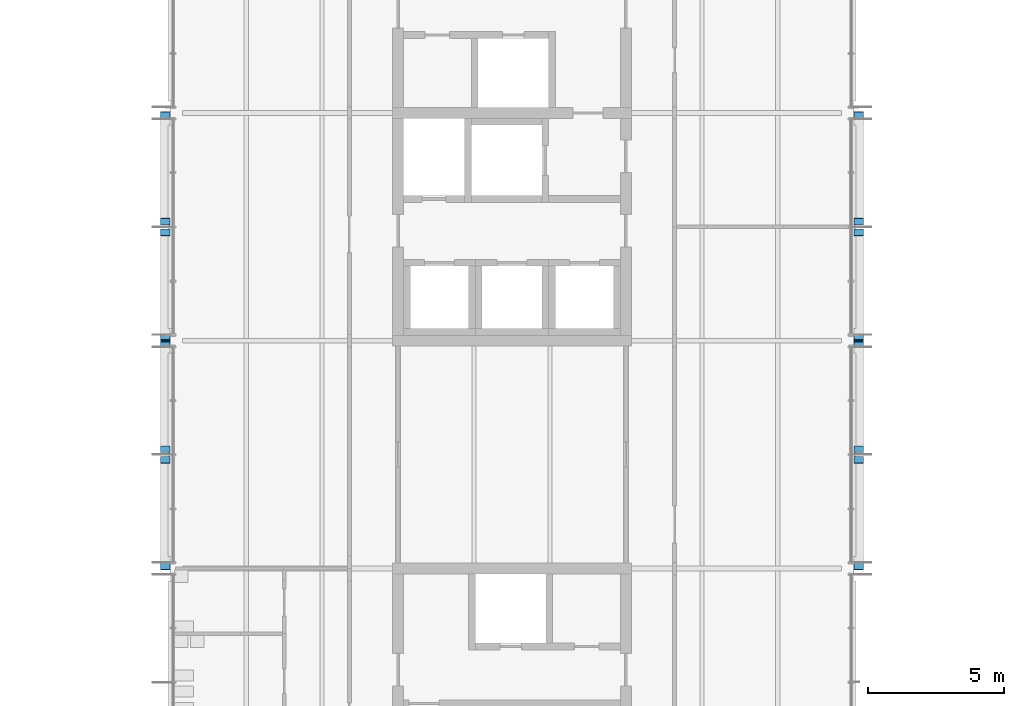
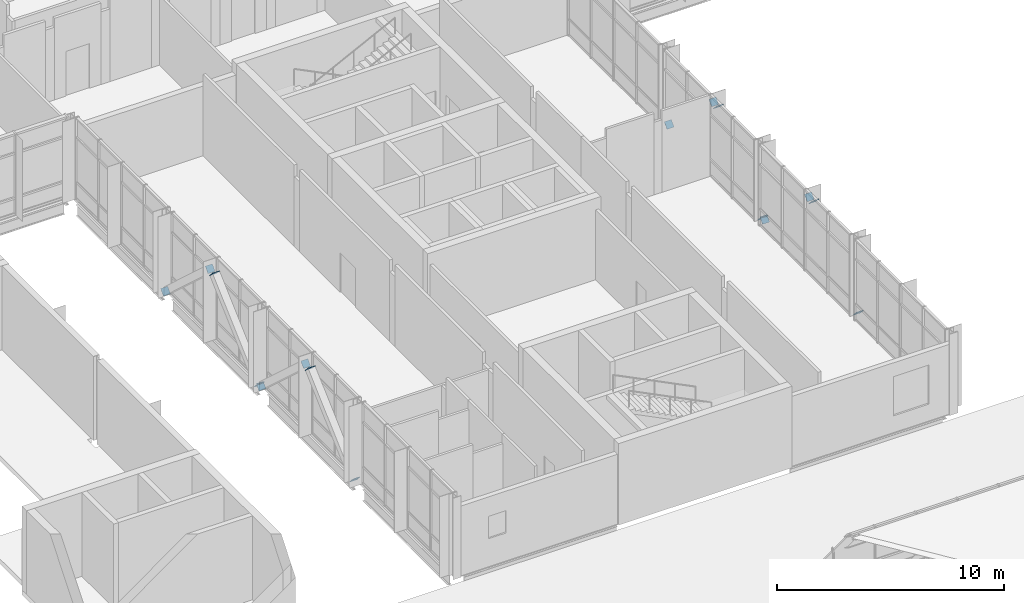
# One storey, part 72 of 89: 16 discrete accessories.
"""IFC4 building model written with IfcOpenShell, lengths in metres."""

from ifc_helpers import new_model, si_unit, direction, frame, origin, origin_2d, place, context, subcontext, project, spatial, rectangle, extrude, material, element, save


model = new_model("IFC4")

# Units and contexts
model_context = context("Model", 3, precision=1e-05, world=origin(), true_north=direction((0.0, 1.0)))
body_context = subcontext(model_context, "Body", "Model", "MODEL_VIEW")
ifc_project = project(units=[si_unit("LENGTHUNIT", "METRE"), si_unit("AREAUNIT", "SQUARE_METRE"), si_unit("VOLUMEUNIT", "CUBIC_METRE"), si_unit("PLANEANGLEUNIT", "RADIAN"), si_unit("MASSUNIT", "GRAM", prefix="KILO")], contexts=[model_context])

# Site, building, storey
site_placement = place(None, origin())
site = spatial("IfcSite", under=ifc_project, at=site_placement, CompositionType="ELEMENT")
building_placement = place(site_placement, origin())
building = spatial("IfcBuilding", under=site, at=building_placement, Name="Hlaing Beacon Police Headquarters", CompositionType="ELEMENT")
storey_placement = place(building_placement, frame((0.0, 0.0, 9.89990234375)))
storey = spatial("IfcBuildingStorey", under=building, at=storey_placement, Name="L02", CompositionType="ELEMENT", Elevation=9.89990234375)

# Discrete accessories
ifc_material = material(Name="Steel ASTM A572 Grade 50", Category="steel")
for number, where, z_axis, x_axis, name in (
    (1, (100.6181640625, 42.085205078125, 0.137939453125), (0.0, -0.738028812002, -0.674769199545), (1.0, 0.0, 0.0), "Gusset plate GP-033"),
    (2, (100.6181640625, 45.992431640625, 3.710205078125), (0.0, 0.738028812002, 0.674769199545), (-1.0, 0.0, 0.0), "Gusset plate GP-034"),
    (3, (100.6181640625, 50.314697265625, 0.137939453125), (0.0, 0.738028812002, -0.674769199545), (-1.0, 0.0, 0.0), "Gusset plate GP-035"),
    (4, (100.6181640625, 46.407470703125, 3.710205078125), (0.0, -0.738028812002, 0.674769199545), (1.0, 0.0, 0.0), "Gusset plate GP-036"),
    (5, (100.6181640625, 50.4853515625, 0.137939453125), (0.0, -0.738007893761, -0.67479207816), (1.0, 0.0, 0.0), "Gusset plate GP-037"),
    (6, (100.6181640625, 54.392578125, 3.71044921875), (0.0, 0.738007893761, 0.67479207816), (-1.0, 0.0, 0.0), "Gusset plate GP-038"),
    (7, (100.6181640625, 58.714599609375, 0.137939453125), (0.0, 0.738007893761, -0.67479207816), (-1.0, 0.0, 0.0), "Gusset plate GP-039"),
    (8, (100.6181640625, 54.807373046875, 3.71044921875), (0.0, -0.738007893761, 0.67479207816), (1.0, 0.0, 0.0), "Gusset plate GP-040"),
    (9, (126.181884765625, 42.085205078125, 0.137939453125), (0.0, -0.738028812002, -0.674769199545), (1.0, 0.0, 0.0), "Gusset plate GP-089"),
    (10, (126.181884765625, 45.992431640625, 3.710205078125), (0.0, 0.738028812002, 0.674769199545), (-1.0, 0.0, 0.0), "Gusset plate GP-090"),
    (11, (126.181884765625, 50.314697265625, 0.137939453125), (0.0, 0.738028812002, -0.674769199545), (-1.0, 0.0, 0.0), "Gusset plate GP-091"),
    (12, (126.181884765625, 46.407470703125, 3.710205078125), (0.0, -0.738028812002, 0.674769199545), (1.0, 0.0, 0.0), "Gusset plate GP-092"),
    (13, (126.181884765625, 50.4853515625, 0.137939453125), (0.0, -0.738007893761, -0.67479207816), (1.0, 0.0, 0.0), "Gusset plate GP-093"),
    (14, (126.181884765625, 54.392578125, 3.71044921875), (0.0, 0.738007893761, 0.67479207816), (-1.0, 0.0, 0.0), "Gusset plate GP-094"),
    (15, (126.181884765625, 58.714599609375, 0.137939453125), (0.0, 0.738007893761, -0.67479207816), (-1.0, 0.0, 0.0), "Gusset plate GP-095"),
    (16, (126.181884765625, 54.807373046875, 3.71044921875), (0.0, -0.738007893761, 0.67479207816), (1.0, 0.0, 0.0), "Gusset plate GP-096"),
):
    element("IfcDiscreteAccessory", number, at=place(storey_placement, frame(where, z_axis=z_axis, x_axis=x_axis)), inside=storey, material=ifc_material, Name=name, PredefinedType="BRACKET", context=body_context, shape_type="SweptSolid", body=[
        extrude(rectangle(XDim=0.355712890625, YDim=0.355712890625, at=origin_2d()), origin(), (0.0, 0.0, 1.0), 0.02001953125),
    ])

save(model, "model.ifc")
